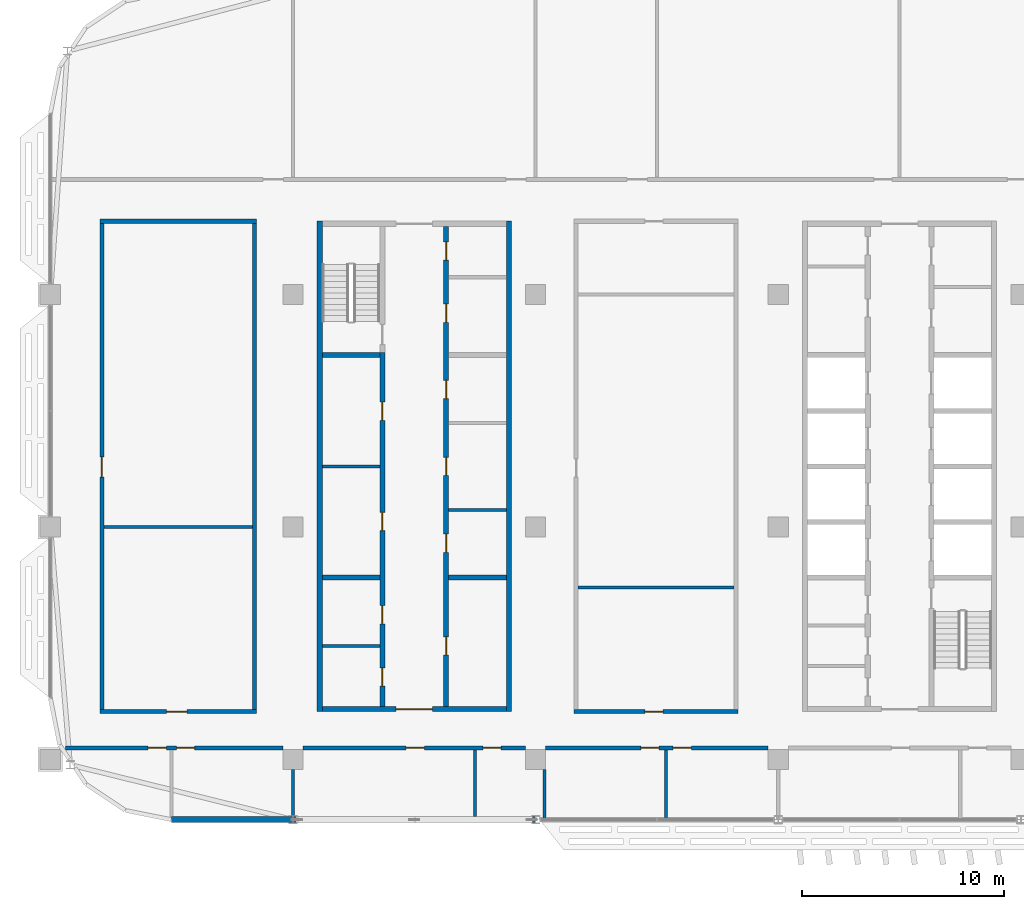
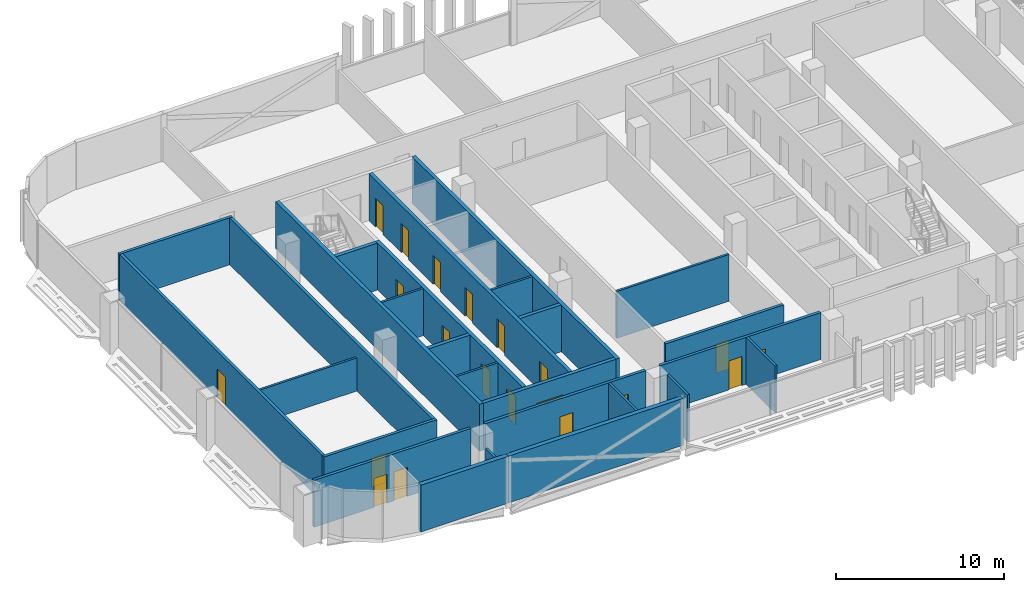
# One storey, part 17 of 33: 27 walls, 20 doors, 20 openings.
"""IFC4 building model written with IfcOpenShell, lengths in metres."""

from ifc_helpers import new_model, si_unit, direction, frame, frame_2d, origin, place, context, subcontext, project, spatial, rectangle, extrude, material, layer, layer_set, type_object, element, fill, save


model = new_model("IFC4")

# Units and contexts
model_context = context("Model", 3, precision=1e-05, world=origin(), true_north=direction((0.0, 1.0)))
body_context = subcontext(model_context, "Body", "Model", "MODEL_VIEW")
ifc_project = project(units=[si_unit("LENGTHUNIT", "METRE"), si_unit("AREAUNIT", "SQUARE_METRE"), si_unit("VOLUMEUNIT", "CUBIC_METRE"), si_unit("PLANEANGLEUNIT", "RADIAN"), si_unit("MASSUNIT", "GRAM", prefix="KILO")], contexts=[model_context])

# Site, building, storey
site_placement = place(None, origin())
site = spatial("IfcSite", under=ifc_project, at=site_placement, CompositionType="ELEMENT")
building_placement = place(site_placement, origin())
building = spatial("IfcBuilding", under=site, at=building_placement, Name="Mahtab Terrace Research Tower", CompositionType="ELEMENT")
storey_placement = place(building_placement, frame((0.0, 0.0, 255.199951171875)))
storey = spatial("IfcBuildingStorey", under=building, at=storey_placement, Name="L62", CompositionType="ELEMENT", Elevation=255.199951171875)

# Walls
ifc_material_1 = material(Name="Gypsum board partition")
ifc_layer_1 = layer(ifc_material_1, 0.14990234375)
ifc_layer_set_1 = layer_set([ifc_layer_1], Name="Core partition 150")
wall_type_1 = type_object("IfcWallType", Name="Core partition 150", PredefinedType="PARTITIONING", material=ifc_layer_set_1)
for number, where, z_axis, x_axis, name in (
    (1, (-28.550048828125, 3.0, 0.0), (0.0, 0.0, 1.0), (1.0, 0.0, 0.0), "Core wall A pWL0"),
    (2, (-22.300048828125, 0.85009765625, 0.0), (0.0, 0.0, 1.0), (1.0, 0.0, 0.0), "Core wall A pEL-215"),
    (3, (-28.550048828125, -5.875, 0.0), (0.0, 0.0, 1.0), (1.0, 0.0, 0.0), "Core wall A pWS-888"),
):
    element("IfcWall", number, at=place(storey_placement, frame(where, z_axis=z_axis, x_axis=x_axis)), inside=storey, type_object=wall_type_1, Name=name, PredefinedType="PARTITIONING", context=body_context, shape_type="SweptSolid", body=[
        extrude(rectangle(XDim=2.85009765625, YDim=0.14990234375, at=frame_2d((1.425048828125, 0.0))), origin(), (0.0, 0.0, 1.0), 3.400146484375),
    ])
ifc_material_2 = material(Name="Concrete C70/85", Category="concrete")
ifc_layer_2 = layer(ifc_material_2, 0.25)
ifc_layer_set_2 = layer_set([ifc_layer_2], Name="Core wall 250")
wall_type_2 = type_object("IfcWallType", Name="Core wall 250", PredefinedType="SOLIDWALL", material=ifc_layer_set_2)
for number, where, z_axis, x_axis, name in (
    (4, (-28.675048828125, 15.125, 0.0), (0.0, 0.0, 1.0), (0.0, -1.0, 0.0), "Core wall A outerW"),
    (5, (-19.324951171875, -9.125, 0.0), (0.0, 0.0, 1.0), (0.0, 1.0, 0.0), "Core wall A outerE"),
):
    element("IfcWall", number, at=place(storey_placement, frame(where, z_axis=z_axis, x_axis=x_axis)), inside=storey, type_object=wall_type_2, Name=name, PredefinedType="SOLIDWALL", context=body_context, shape_type="SweptSolid", body=[
        extrude(rectangle(XDim=24.25, YDim=0.25, at=frame_2d((12.125, 0.0))), origin(), (0.0, 0.0, 1.0), 3.400146484375),
    ])

# Wall, opening, door
wall_1_placement = place(storey_placement, frame((-19.449951171875, -9.0, 0.0), z_axis=(0.0, 0.0, 1.0), x_axis=(-1.0, 0.0, 0.0)))
wall_1 = element("IfcWall", 6, at=wall_1_placement, inside=storey, type_object=wall_type_2, Name="Core wall A endS", PredefinedType="SOLIDWALL", context=body_context, shape_type="SweptSolid", body=[
    extrude(rectangle(XDim=9.10009765625, YDim=0.25, at=frame_2d((4.550048828125, 0.0))), origin(), (0.0, 0.0, 1.0), 3.400146484375),
])
opening_1_placement = place(wall_1_placement, frame((3.64990234375, 0.0, 0.0)))
opening_1 = element("IfcOpeningElement", 7, at=opening_1_placement, cuts=wall_1, Name="Opening A-S1", PredefinedType="OPENING", context=body_context, shape_type="SweptSolid", body=[
    extrude(rectangle(XDim=1.800048828125, YDim=2.10009765625, at=frame_2d((0.89990234375, 1.050048828125))), frame((0.0, 0.135009765625, 0.0), z_axis=(0.0, -1.0, 0.0), x_axis=(1.0, 0.0, 0.0)), (0.0, 0.0, 1.0), 0.27001953125),
])
ifc_material_3 = material(Name="Steel fire door", Category="steel")
door_type_1 = type_object("IfcDoorType", Name="Lobby double door 1800x2100 1 HR", OperationType="DOUBLE_DOOR_SINGLE_SWING", PredefinedType="DOOR", material=ifc_material_3)
door_1_placement = place(opening_1_placement, origin())
door_1 = element("IfcDoor", 8, at=door_1_placement, inside=storey, type_object=door_type_1, Name="Core entrance door A S", OperationType="DOUBLE_DOOR_SINGLE_SWING", OverallHeight=2.10009765625, OverallWidth=1.800048828125, PredefinedType="DOOR", context=body_context, shape_type="SweptSolid", body=[
    extrude(rectangle(XDim=1.800048828125, YDim=2.10009765625, at=frame_2d((0.89990234375, 1.050048828125))), frame((0.0, 0.02490234375, 0.0), z_axis=(0.0, -1.0, 0.0), x_axis=(1.0, 0.0, 0.0)), (0.0, 0.0, 1.0), 0.050048828125),
])
fill(opening_1, door_1)

# Wall, openings, doors
wall_2_placement = place(storey_placement, frame((-25.574951171875, -8.875, 0.0), z_axis=(0.0, 0.0, 1.0), x_axis=(0.0, 1.0, 0.0)))
wall_2 = element("IfcWall", 9, at=wall_2_placement, inside=storey, type_object=wall_type_2, Name="Core wall A innerWSL", PredefinedType="SOLIDWALL", context=body_context, shape_type="SweptSolid", body=[
    extrude(rectangle(XDim=17.5, YDim=0.25, at=frame_2d((8.75, 0.0))), origin(), (0.0, 0.0, 1.0), 3.400146484375),
])
opening_2_placement = place(wall_2_placement, frame((8.699951171875, 0.0, 0.0)))
opening_2 = element("IfcOpeningElement", 10, at=opening_2_placement, cuts=wall_2, Name="Opening A-R1", PredefinedType="OPENING", context=body_context, shape_type="SweptSolid", body=[
    extrude(rectangle(XDim=0.89990234375, YDim=2.10009765625, at=frame_2d((0.449951171875, 1.050048828125))), frame((0.0, 0.135009765625, 0.0), z_axis=(0.0, -1.0, 0.0), x_axis=(1.0, 0.0, 0.0)), (0.0, 0.0, 1.0), 0.27001953125),
])
opening_3_placement = place(wall_2_placement, frame((14.14990234375, 0.0, 0.0)))
opening_3 = element("IfcOpeningElement", 11, at=opening_3_placement, cuts=wall_2, Name="Opening A-R2", PredefinedType="OPENING", context=body_context, shape_type="SweptSolid", body=[
    extrude(rectangle(XDim=0.89990234375, YDim=2.10009765625, at=frame_2d((0.449951171875, 1.050048828125))), frame((0.0, 0.135009765625, 0.0), z_axis=(0.0, -1.0, 0.0), x_axis=(1.0, 0.0, 0.0)), (0.0, 0.0, 1.0), 0.27001953125),
])
opening_4_placement = place(wall_2_placement, frame((1.012451171875, 0.0, 0.0)))
opening_4 = element("IfcOpeningElement", 12, at=opening_4_placement, cuts=wall_2, Name="Opening A-R6", PredefinedType="OPENING", context=body_context, shape_type="SweptSolid", body=[
    extrude(rectangle(XDim=0.89990234375, YDim=2.10009765625, at=frame_2d((0.449951171875, 1.050048828125))), frame((0.0, 0.135009765625, 0.0), z_axis=(0.0, -1.0, 0.0), x_axis=(1.0, 0.0, 0.0)), (0.0, 0.0, 1.0), 0.27001953125),
])
opening_5_placement = place(wall_2_placement, frame((4.08740234375, 0.0, 0.0)))
opening_5 = element("IfcOpeningElement", 13, at=opening_5_placement, cuts=wall_2, Name="Opening A-R7", PredefinedType="OPENING", context=body_context, shape_type="SweptSolid", body=[
    extrude(rectangle(XDim=0.89990234375, YDim=2.10009765625, at=frame_2d((0.449951171875, 1.050048828125))), frame((0.0, 0.135009765625, 0.0), z_axis=(0.0, -1.0, 0.0), x_axis=(1.0, 0.0, 0.0)), (0.0, 0.0, 1.0), 0.27001953125),
])
door_type_2 = type_object("IfcDoorType", Name="Room door 900x2100 1 HR", OperationType="NOTDEFINED", PredefinedType="DOOR", material=ifc_material_3)
door_2_placement = place(opening_2_placement, origin())
door_2 = element("IfcDoor", 14, at=door_2_placement, inside=storey, type_object=door_type_2, Name="Document store door", OperationType="SINGLE_SWING_LEFT", OverallHeight=2.10009765625, OverallWidth=0.89990234375, PredefinedType="DOOR", context=body_context, shape_type="SweptSolid", body=[
    extrude(rectangle(XDim=0.89990234375, YDim=2.10009765625, at=frame_2d((0.449951171875, 1.050048828125))), frame((0.0, 0.02490234375, 0.0), z_axis=(0.0, -1.0, 0.0), x_axis=(1.0, 0.0, 0.0)), (0.0, 0.0, 1.0), 0.050048828125),
])
fill(opening_2, door_2)
door_3_placement = place(opening_3_placement, origin())
door_3 = element("IfcDoor", 15, at=door_3_placement, inside=storey, type_object=door_type_2, Name="IT equipment room door", OperationType="SINGLE_SWING_RIGHT", OverallHeight=2.10009765625, OverallWidth=0.89990234375, PredefinedType="DOOR", context=body_context, shape_type="SweptSolid", body=[
    extrude(rectangle(XDim=0.89990234375, YDim=2.10009765625, at=frame_2d((0.449951171875, 1.050048828125))), frame((0.0, 0.02490234375, 0.0), z_axis=(0.0, -1.0, 0.0), x_axis=(1.0, 0.0, 0.0)), (0.0, 0.0, 1.0), 0.050048828125),
])
fill(opening_3, door_3)
door_4_placement = place(opening_4_placement, origin())
door_4 = element("IfcDoor", 16, at=door_4_placement, inside=storey, type_object=door_type_2, Name="Staff WC door", OperationType="SINGLE_SWING_RIGHT", OverallHeight=2.10009765625, OverallWidth=0.89990234375, PredefinedType="DOOR", context=body_context, shape_type="SweptSolid", body=[
    extrude(rectangle(XDim=0.89990234375, YDim=2.10009765625, at=frame_2d((0.449951171875, 1.050048828125))), frame((0.0, 0.02490234375, 0.0), z_axis=(0.0, -1.0, 0.0), x_axis=(1.0, 0.0, 0.0)), (0.0, 0.0, 1.0), 0.050048828125),
])
fill(opening_4, door_4)
door_5_placement = place(opening_5_placement, origin())
door_5 = element("IfcDoor", 17, at=door_5_placement, inside=storey, type_object=door_type_2, Name="Accessible WC door", OperationType="SINGLE_SWING_LEFT", OverallHeight=2.10009765625, OverallWidth=0.89990234375, PredefinedType="DOOR", context=body_context, shape_type="SweptSolid", body=[
    extrude(rectangle(XDim=0.89990234375, YDim=2.10009765625, at=frame_2d((0.449951171875, 1.050048828125))), frame((0.0, 0.02490234375, 0.0), z_axis=(0.0, -1.0, 0.0), x_axis=(1.0, 0.0, 0.0)), (0.0, 0.0, 1.0), 0.050048828125),
])
fill(opening_5, door_5)

wall_3_placement = place(storey_placement, frame((-22.425048828125, 14.875, 0.0), z_axis=(0.0, 0.0, 1.0), x_axis=(0.0, -1.0, 0.0)))
wall_3 = element("IfcWall", 18, at=wall_3_placement, inside=storey, type_object=wall_type_2, Name="Core wall A innerESLN", PredefinedType="SOLIDWALL", context=body_context, shape_type="SweptSolid", body=[
    extrude(rectangle(XDim=23.75, YDim=0.25, at=frame_2d((11.875, 0.0))), origin(), (0.0, 0.0, 1.0), 3.400146484375),
])
opening_6_placement = place(wall_3_placement, frame((15.22509765625, 0.0, 0.0)))
opening_6 = element("IfcOpeningElement", 19, at=opening_6_placement, cuts=wall_3, Name="Opening A-R3", PredefinedType="OPENING", context=body_context, shape_type="SweptSolid", body=[
    extrude(rectangle(XDim=0.89990234375, YDim=2.10009765625, at=frame_2d((0.449951171875, 1.050048828125))), frame((0.0, 0.135009765625, 0.0), z_axis=(0.0, -1.0, 0.0), x_axis=(1.0, 0.0, 0.0)), (0.0, 0.0, 1.0), 0.27001953125),
])
opening_7_placement = place(wall_3_placement, frame((11.425048828125, 0.0, 0.0)))
opening_7 = element("IfcOpeningElement", 20, at=opening_7_placement, cuts=wall_3, Name="Opening A-R4", PredefinedType="OPENING", context=body_context, shape_type="SweptSolid", body=[
    extrude(rectangle(XDim=0.89990234375, YDim=2.10009765625, at=frame_2d((0.449951171875, 1.050048828125))), frame((0.0, 0.135009765625, 0.0), z_axis=(0.0, -1.0, 0.0), x_axis=(1.0, 0.0, 0.0)), (0.0, 0.0, 1.0), 0.27001953125),
])
opening_8_placement = place(wall_3_placement, frame((7.625, 0.0, 0.0)))
opening_8 = element("IfcOpeningElement", 21, at=opening_8_placement, cuts=wall_3, Name="Opening A-R5", PredefinedType="OPENING", context=body_context, shape_type="SweptSolid", body=[
    extrude(rectangle(XDim=0.89990234375, YDim=2.10009765625, at=frame_2d((0.449951171875, 1.050048828125))), frame((0.0, 0.135009765625, 0.0), z_axis=(0.0, -1.0, 0.0), x_axis=(1.0, 0.0, 0.0)), (0.0, 0.0, 1.0), 0.27001953125),
])
opening_9_placement = place(wall_3_placement, frame((20.300048828125, 0.0, 0.0)))
opening_9 = element("IfcOpeningElement", 22, at=opening_9_placement, cuts=wall_3, Name="Opening A-R8", PredefinedType="OPENING", context=body_context, shape_type="SweptSolid", body=[
    extrude(rectangle(XDim=0.89990234375, YDim=2.10009765625, at=frame_2d((0.449951171875, 1.050048828125))), frame((0.0, 0.135009765625, 0.0), z_axis=(0.0, -1.0, 0.0), x_axis=(1.0, 0.0, 0.0)), (0.0, 0.0, 1.0), 0.27001953125),
])
opening_10_placement = place(wall_3_placement, frame((3.847412109375, 0.0, 0.0)))
opening_10 = element("IfcOpeningElement", 23, at=opening_10_placement, cuts=wall_3, Name="Opening A-R9", PredefinedType="OPENING", context=body_context, shape_type="SweptSolid", body=[
    extrude(rectangle(XDim=0.89990234375, YDim=2.10009765625, at=frame_2d((0.449951171875, 1.050048828125))), frame((0.0, 0.135009765625, 0.0), z_axis=(0.0, -1.0, 0.0), x_axis=(1.0, 0.0, 0.0)), (0.0, 0.0, 1.0), 0.27001953125),
])
opening_11_placement = place(wall_3_placement, frame((0.7724609375, 0.0, 0.0)))
opening_11 = element("IfcOpeningElement", 24, at=opening_11_placement, cuts=wall_3, Name="Opening A-R10", PredefinedType="OPENING", context=body_context, shape_type="SweptSolid", body=[
    extrude(rectangle(XDim=0.89990234375, YDim=2.10009765625, at=frame_2d((0.449951171875, 1.050048828125))), frame((0.0, 0.135009765625, 0.0), z_axis=(0.0, -1.0, 0.0), x_axis=(1.0, 0.0, 0.0)), (0.0, 0.0, 1.0), 0.27001953125),
])
door_6_placement = place(opening_6_placement, origin())
door_6 = element("IfcDoor", 25, at=door_6_placement, inside=storey, type_object=door_type_2, Name="Electrical room door", OperationType="SINGLE_SWING_LEFT", OverallHeight=2.10009765625, OverallWidth=0.89990234375, PredefinedType="DOOR", context=body_context, shape_type="SweptSolid", body=[
    extrude(rectangle(XDim=0.89990234375, YDim=2.10009765625, at=frame_2d((0.449951171875, 1.050048828125))), frame((0.0, 0.02490234375, 0.0), z_axis=(0.0, -1.0, 0.0), x_axis=(1.0, 0.0, 0.0)), (0.0, 0.0, 1.0), 0.050048828125),
])
fill(opening_6, door_6)
door_7_placement = place(opening_7_placement, origin())
door_7 = element("IfcDoor", 26, at=door_7_placement, inside=storey, type_object=door_type_2, Name="Pantry door", OperationType="SINGLE_SWING_RIGHT", OverallHeight=2.10009765625, OverallWidth=0.89990234375, PredefinedType="DOOR", context=body_context, shape_type="SweptSolid", body=[
    extrude(rectangle(XDim=0.89990234375, YDim=2.10009765625, at=frame_2d((0.449951171875, 1.050048828125))), frame((0.0, 0.02490234375, 0.0), z_axis=(0.0, -1.0, 0.0), x_axis=(1.0, 0.0, 0.0)), (0.0, 0.0, 1.0), 0.050048828125),
])
fill(opening_7, door_7)
door_8_placement = place(opening_8_placement, origin())
door_8 = element("IfcDoor", 27, at=door_8_placement, inside=storey, type_object=door_type_2, Name="Housekeeping store door", OperationType="SINGLE_SWING_LEFT", OverallHeight=2.10009765625, OverallWidth=0.89990234375, PredefinedType="DOOR", context=body_context, shape_type="SweptSolid", body=[
    extrude(rectangle(XDim=0.89990234375, YDim=2.10009765625, at=frame_2d((0.449951171875, 1.050048828125))), frame((0.0, 0.02490234375, 0.0), z_axis=(0.0, -1.0, 0.0), x_axis=(1.0, 0.0, 0.0)), (0.0, 0.0, 1.0), 0.050048828125),
])
fill(opening_8, door_8)
door_9_placement = place(opening_9_placement, origin())
door_9 = element("IfcDoor", 28, at=door_9_placement, inside=storey, type_object=door_type_2, Name="Gas cylinder store door", OperationType="SINGLE_SWING_RIGHT", OverallHeight=2.10009765625, OverallWidth=0.89990234375, PredefinedType="DOOR", context=body_context, shape_type="SweptSolid", body=[
    extrude(rectangle(XDim=0.89990234375, YDim=2.10009765625, at=frame_2d((0.449951171875, 1.050048828125))), frame((0.0, 0.02490234375, 0.0), z_axis=(0.0, -1.0, 0.0), x_axis=(1.0, 0.0, 0.0)), (0.0, 0.0, 1.0), 0.050048828125),
])
fill(opening_9, door_9)
door_10_placement = place(opening_10_placement, origin())
door_10 = element("IfcDoor", 29, at=door_10_placement, inside=storey, type_object=door_type_2, Name="Pantry door", OperationType="SINGLE_SWING_LEFT", OverallHeight=2.10009765625, OverallWidth=0.89990234375, PredefinedType="DOOR", context=body_context, shape_type="SweptSolid", body=[
    extrude(rectangle(XDim=0.89990234375, YDim=2.10009765625, at=frame_2d((0.449951171875, 1.050048828125))), frame((0.0, 0.02490234375, 0.0), z_axis=(0.0, -1.0, 0.0), x_axis=(1.0, 0.0, 0.0)), (0.0, 0.0, 1.0), 0.050048828125),
])
fill(opening_10, door_10)
door_11_placement = place(opening_11_placement, origin())
door_11 = element("IfcDoor", 30, at=door_11_placement, inside=storey, type_object=door_type_2, Name="Linen store door", OperationType="SINGLE_SWING_RIGHT", OverallHeight=2.10009765625, OverallWidth=0.89990234375, PredefinedType="DOOR", context=body_context, shape_type="SweptSolid", body=[
    extrude(rectangle(XDim=0.89990234375, YDim=2.10009765625, at=frame_2d((0.449951171875, 1.050048828125))), frame((0.0, 0.02490234375, 0.0), z_axis=(0.0, -1.0, 0.0), x_axis=(1.0, 0.0, 0.0)), (0.0, 0.0, 1.0), 0.050048828125),
])
fill(opening_11, door_11)

# Walls
for number, where, z_axis, x_axis, name in (
    (31, (-28.550048828125, -2.5, 0.0), (0.0, 0.0, 1.0), (1.0, 0.0, 0.0), "Core wall A divW0"),
    (32, (-28.550048828125, 8.5, 0.0), (0.0, 0.0, 1.0), (1.0, 0.0, 0.0), "Core wall A divW4"),
    (33, (-22.300048828125, -2.5, 0.0), (0.0, 0.0, 1.0), (1.0, 0.0, 0.0), "Core wall A divE0"),
):
    element("IfcWall", number, at=place(storey_placement, frame(where, z_axis=z_axis, x_axis=x_axis)), inside=storey, type_object=wall_type_2, Name=name, PredefinedType="SOLIDWALL", context=body_context, shape_type="SweptSolid", body=[
        extrude(rectangle(XDim=2.85009765625, YDim=0.25, at=frame_2d((1.425048828125, 0.0))), origin(), (0.0, 0.0, 1.0), 3.400146484375),
    ])
ifc_material_4 = material(Name="Black aluminium cladding panel", Category="aluminium")
ifc_layer_3 = layer(ifc_material_4, 0.300048828125)
ifc_layer_set_3 = layer_set([ifc_layer_3], Name="Opaque facade wall 300")
wall_type_3 = type_object("IfcWallType", Name="Opaque facade wall 300", PredefinedType="NOTDEFINED", material=ifc_layer_set_3)
wall_4_placement = place(storey_placement, frame((-36.0, -14.472900390625, 0.0), z_axis=(0.0, 0.0, 1.0), x_axis=(1.0, 0.0, 0.0)))
element("IfcWall", 34, at=wall_4_placement, inside=storey, type_object=wall_type_3, Name="Opaque facade wall L62 S25", PredefinedType="NOTDEFINED", context=body_context, shape_type="SweptSolid", body=[
    extrude(rectangle(XDim=5.989501953125, YDim=0.300048828125, at=frame_2d((2.99462890625, 0.0))), origin(), (0.0, 0.0, 1.0), 3.400146484375),
])
wall_5_placement = place(storey_placement, frame((-29.989501953125, -14.472900390625, 0.0), z_axis=(0.0, 0.0, 1.0), x_axis=(1.0, 0.0, 0.0)))
element("IfcWall", 35, at=wall_5_placement, inside=storey, type_object=wall_type_3, Name="Opaque facade wall L62 S26", PredefinedType="NOTDEFINED", context=body_context, shape_type="SweptSolid", body=[
    extrude(rectangle(XDim=11.97900390625, YDim=0.300048828125, at=frame_2d((5.989501953125, 0.0))), origin(), (0.0, 0.0, 1.0), 3.400146484375),
])

# Wall, openings, doors
ifc_material_5 = material(Name="Gypsum board corridor wall on steel studs", Category="steel")
ifc_layer_4 = layer(ifc_material_5, 0.199951171875)
ifc_layer_set_4 = layer_set([ifc_layer_4], Name="WALL CORRIDOR 200")
wall_type_4 = type_object("IfcWallType", Name="WALL CORRIDOR 200", PredefinedType="PARTITIONING", material=ifc_layer_set_4)
wall_6_placement = place(storey_placement, frame((-41.260009765625, -10.923095703125, 0.0), z_axis=(0.0, 0.0, 1.0), x_axis=(1.0, 0.0, 0.0)))
wall_6 = element("IfcWall", 36, at=wall_6_placement, inside=storey, type_object=wall_type_4, Name="L62-W001", PredefinedType="PARTITIONING", context=body_context, shape_type="SweptSolid", body=[
    extrude(rectangle(XDim=10.760009765625, YDim=0.199951171875, at=frame_2d((5.3798828125, 0.0))), origin(), (0.0, 0.0, 1.0), 3.400146484375),
])
opening_12_placement = place(wall_6_placement, frame((4.10009765625, 0.0, 0.0)))
opening_12 = element("IfcOpeningElement", 37, at=opening_12_placement, cuts=wall_6, Name="Opening L62-101", PredefinedType="OPENING", context=body_context, shape_type="SweptSolid", body=[
    extrude(rectangle(XDim=0.89990234375, YDim=2.10009765625, at=frame_2d((0.449951171875, 1.050048828125))), frame((0.0, 0.10986328125, 0.0), z_axis=(0.0, -1.0, 0.0), x_axis=(1.0, 0.0, 0.0)), (0.0, 0.0, 1.0), 0.219970703125),
])
opening_13_placement = place(wall_6_placement, frame((5.5, 0.0, 0.0)))
opening_13 = element("IfcOpeningElement", 38, at=opening_13_placement, cuts=wall_6, Name="Opening L62-102", PredefinedType="OPENING", context=body_context, shape_type="SweptSolid", body=[
    extrude(rectangle(XDim=0.89990234375, YDim=2.10009765625, at=frame_2d((0.449951171875, 1.050048828125))), frame((0.0, 0.10986328125, 0.0), z_axis=(0.0, -1.0, 0.0), x_axis=(1.0, 0.0, 0.0)), (0.0, 0.0, 1.0), 0.219970703125),
])
ifc_material_6 = material(Name="Timber door leaf in steel frame", Category="steel")
door_type_3 = type_object("IfcDoorType", Name="DOOR 0900X2100 FD30S", OperationType="SINGLE_SWING_LEFT", PredefinedType="DOOR", material=ifc_material_6)
door_12_placement = place(opening_12_placement, origin())
door_12 = element("IfcDoor", 39, at=door_12_placement, inside=storey, type_object=door_type_3, Name="Door L62-101", OperationType="SINGLE_SWING_RIGHT", OverallHeight=2.10009765625, OverallWidth=0.89990234375, PredefinedType="DOOR", context=body_context, shape_type="SweptSolid", body=[
    extrude(rectangle(XDim=0.89990234375, YDim=2.10009765625, at=frame_2d((0.449951171875, 1.050048828125))), frame((0.0, 0.02490234375, 0.0), z_axis=(0.0, -1.0, 0.0), x_axis=(1.0, 0.0, 0.0)), (0.0, 0.0, 1.0), 0.050048828125),
])
fill(opening_12, door_12)
door_13_placement = place(opening_13_placement, origin())
door_13 = element("IfcDoor", 40, at=door_13_placement, inside=storey, type_object=door_type_3, Name="Door L62-102", OperationType="SINGLE_SWING_LEFT", OverallHeight=2.10009765625, OverallWidth=0.89990234375, PredefinedType="DOOR", context=body_context, shape_type="SweptSolid", body=[
    extrude(rectangle(XDim=0.89990234375, YDim=2.10009765625, at=frame_2d((0.449951171875, 1.050048828125))), frame((0.0, 0.02490234375, 0.0), z_axis=(0.0, -1.0, 0.0), x_axis=(1.0, 0.0, 0.0)), (0.0, 0.0, 1.0), 0.050048828125),
])
fill(opening_13, door_13)

wall_7_placement = place(storey_placement, frame((-29.5, -10.923095703125, 0.0), z_axis=(0.0, 0.0, 1.0), x_axis=(1.0, 0.0, 0.0)))
wall_7 = element("IfcWall", 41, at=wall_7_placement, inside=storey, type_object=wall_type_4, Name="L62-W002", PredefinedType="PARTITIONING", context=body_context, shape_type="SweptSolid", body=[
    extrude(rectangle(XDim=11.0, YDim=0.199951171875, at=frame_2d((5.5, 0.0))), origin(), (0.0, 0.0, 1.0), 3.400146484375),
])
opening_14_placement = place(wall_7_placement, frame((5.10009765625, 0.0, 0.0)))
opening_14 = element("IfcOpeningElement", 42, at=opening_14_placement, cuts=wall_7, Name="Opening L62-103", PredefinedType="OPENING", context=body_context, shape_type="SweptSolid", body=[
    extrude(rectangle(XDim=0.89990234375, YDim=2.10009765625, at=frame_2d((0.449951171875, 1.050048828125))), frame((0.0, 0.10986328125, 0.0), z_axis=(0.0, -1.0, 0.0), x_axis=(1.0, 0.0, 0.0)), (0.0, 0.0, 1.0), 0.219970703125),
])
opening_15_placement = place(wall_7_placement, frame((8.89990234375, 0.0, 0.0)))
opening_15 = element("IfcOpeningElement", 43, at=opening_15_placement, cuts=wall_7, Name="Opening L62-104", PredefinedType="OPENING", context=body_context, shape_type="SweptSolid", body=[
    extrude(rectangle(XDim=0.89990234375, YDim=2.10009765625, at=frame_2d((0.449951171875, 1.050048828125))), frame((0.0, 0.10986328125, 0.0), z_axis=(0.0, -1.0, 0.0), x_axis=(1.0, 0.0, 0.0)), (0.0, 0.0, 1.0), 0.219970703125),
])
door_14_placement = place(opening_14_placement, origin())
door_14 = element("IfcDoor", 44, at=door_14_placement, inside=storey, type_object=door_type_3, Name="Door L62-103", OperationType="SINGLE_SWING_LEFT", OverallHeight=2.10009765625, OverallWidth=0.89990234375, PredefinedType="DOOR", context=body_context, shape_type="SweptSolid", body=[
    extrude(rectangle(XDim=0.89990234375, YDim=2.10009765625, at=frame_2d((0.449951171875, 1.050048828125))), frame((0.0, 0.02490234375, 0.0), z_axis=(0.0, -1.0, 0.0), x_axis=(1.0, 0.0, 0.0)), (0.0, 0.0, 1.0), 0.050048828125),
])
fill(opening_14, door_14)
door_15_placement = place(opening_15_placement, origin())
door_15 = element("IfcDoor", 45, at=door_15_placement, inside=storey, type_object=door_type_3, Name="Door L62-104", OperationType="SINGLE_SWING_LEFT", OverallHeight=2.10009765625, OverallWidth=0.89990234375, PredefinedType="DOOR", context=body_context, shape_type="SweptSolid", body=[
    extrude(rectangle(XDim=0.89990234375, YDim=2.10009765625, at=frame_2d((0.449951171875, 1.050048828125))), frame((0.0, 0.02490234375, 0.0), z_axis=(0.0, -1.0, 0.0), x_axis=(1.0, 0.0, 0.0)), (0.0, 0.0, 1.0), 0.050048828125),
])
fill(opening_15, door_15)

wall_8_placement = place(storey_placement, frame((-17.5, -10.923095703125, 0.0), z_axis=(0.0, 0.0, 1.0), x_axis=(1.0, 0.0, 0.0)))
wall_8 = element("IfcWall", 46, at=wall_8_placement, inside=storey, type_object=wall_type_4, Name="L62-W003", PredefinedType="PARTITIONING", context=body_context, shape_type="SweptSolid", body=[
    extrude(rectangle(XDim=11.0, YDim=0.199951171875, at=frame_2d((5.5, 0.0))), origin(), (0.0, 0.0, 1.0), 3.400146484375),
])
opening_16_placement = place(wall_8_placement, frame((4.699951171875, 0.0, 0.0)))
opening_16 = element("IfcOpeningElement", 47, at=opening_16_placement, cuts=wall_8, Name="Opening L62-105", PredefinedType="OPENING", context=body_context, shape_type="SweptSolid", body=[
    extrude(rectangle(XDim=0.89990234375, YDim=2.10009765625, at=frame_2d((0.449951171875, 1.050048828125))), frame((0.0, 0.10986328125, 0.0), z_axis=(0.0, -1.0, 0.0), x_axis=(1.0, 0.0, 0.0)), (0.0, 0.0, 1.0), 0.219970703125),
])
opening_17_placement = place(wall_8_placement, frame((6.300048828125, 0.0, 0.0)))
opening_17 = element("IfcOpeningElement", 48, at=opening_17_placement, cuts=wall_8, Name="Opening L62-106", PredefinedType="OPENING", context=body_context, shape_type="SweptSolid", body=[
    extrude(rectangle(XDim=0.89990234375, YDim=2.10009765625, at=frame_2d((0.449951171875, 1.050048828125))), frame((0.0, 0.10986328125, 0.0), z_axis=(0.0, -1.0, 0.0), x_axis=(1.0, 0.0, 0.0)), (0.0, 0.0, 1.0), 0.219970703125),
])
door_16_placement = place(opening_16_placement, origin())
door_16 = element("IfcDoor", 49, at=door_16_placement, inside=storey, type_object=door_type_3, Name="Door L62-105", OperationType="SINGLE_SWING_RIGHT", OverallHeight=2.10009765625, OverallWidth=0.89990234375, PredefinedType="DOOR", context=body_context, shape_type="SweptSolid", body=[
    extrude(rectangle(XDim=0.89990234375, YDim=2.10009765625, at=frame_2d((0.449951171875, 1.050048828125))), frame((0.0, 0.02490234375, 0.0), z_axis=(0.0, -1.0, 0.0), x_axis=(1.0, 0.0, 0.0)), (0.0, 0.0, 1.0), 0.050048828125),
])
fill(opening_16, door_16)
door_17_placement = place(opening_17_placement, origin())
door_17 = element("IfcDoor", 50, at=door_17_placement, inside=storey, type_object=door_type_3, Name="Door L62-106", OperationType="SINGLE_SWING_LEFT", OverallHeight=2.10009765625, OverallWidth=0.89990234375, PredefinedType="DOOR", context=body_context, shape_type="SweptSolid", body=[
    extrude(rectangle(XDim=0.89990234375, YDim=2.10009765625, at=frame_2d((0.449951171875, 1.050048828125))), frame((0.0, 0.02490234375, 0.0), z_axis=(0.0, -1.0, 0.0), x_axis=(1.0, 0.0, 0.0)), (0.0, 0.0, 1.0), 0.050048828125),
])
fill(opening_17, door_17)

# Wall, opening, door
wall_9_placement = place(storey_placement, frame((-39.550048828125, -9.125, 0.0), z_axis=(0.0, 0.0, 1.0), x_axis=(1.0, 0.0, 0.0)))
wall_9 = element("IfcWall", 51, at=wall_9_placement, inside=storey, type_object=wall_type_4, Name="L62-W009", PredefinedType="PARTITIONING", context=body_context, shape_type="SweptSolid", body=[
    extrude(rectangle(XDim=7.75, YDim=0.199951171875, at=frame_2d((3.875, 0.0))), origin(), (0.0, 0.0, 1.0), 3.400146484375),
])
opening_18_placement = place(wall_9_placement, frame((3.300048828125, 0.0, 0.0)))
opening_18 = element("IfcOpeningElement", 52, at=opening_18_placement, cuts=wall_9, Name="Opening L62-118", PredefinedType="OPENING", context=body_context, shape_type="SweptSolid", body=[
    extrude(rectangle(XDim=1.0, YDim=2.10009765625, at=frame_2d((0.5, 1.050048828125))), frame((0.0, 0.10986328125, 0.0), z_axis=(0.0, -1.0, 0.0), x_axis=(1.0, 0.0, 0.0)), (0.0, 0.0, 1.0), 0.219970703125),
])
door_type_4 = type_object("IfcDoorType", Name="DOOR 1000X2100 FD30S", OperationType="SINGLE_SWING_LEFT", PredefinedType="DOOR", material=ifc_material_6)
door_18_placement = place(opening_18_placement, origin())
door_18 = element("IfcDoor", 53, at=door_18_placement, inside=storey, type_object=door_type_4, Name="Door L62-118", OperationType="SINGLE_SWING_LEFT", OverallHeight=2.10009765625, OverallWidth=1.0, PredefinedType="DOOR", context=body_context, shape_type="SweptSolid", body=[
    extrude(rectangle(XDim=1.0, YDim=2.10009765625, at=frame_2d((0.5, 1.050048828125))), frame((0.0, 0.02490234375, 0.0), z_axis=(0.0, -1.0, 0.0), x_axis=(1.0, 0.0, 0.0)), (0.0, 0.0, 1.0), 0.050048828125),
])
fill(opening_18, door_18)

wall_10_placement = place(storey_placement, frame((-16.10009765625, -9.125, 0.0), z_axis=(0.0, 0.0, 1.0), x_axis=(1.0, 0.0, 0.0)))
wall_10 = element("IfcWall", 54, at=wall_10_placement, inside=storey, type_object=wall_type_4, Name="L62-W010", PredefinedType="PARTITIONING", context=body_context, shape_type="SweptSolid", body=[
    extrude(rectangle(XDim=8.10009765625, YDim=0.199951171875, at=frame_2d((4.050048828125, 0.0))), origin(), (0.0, 0.0, 1.0), 3.400146484375),
])
opening_19_placement = place(wall_10_placement, frame((3.5, 0.0, 0.0)))
opening_19 = element("IfcOpeningElement", 55, at=opening_19_placement, cuts=wall_10, Name="Opening L62-116", PredefinedType="OPENING", context=body_context, shape_type="SweptSolid", body=[
    extrude(rectangle(XDim=0.89990234375, YDim=2.10009765625, at=frame_2d((0.449951171875, 1.050048828125))), frame((0.0, 0.10986328125, 0.0), z_axis=(0.0, -1.0, 0.0), x_axis=(1.0, 0.0, 0.0)), (0.0, 0.0, 1.0), 0.219970703125),
])
door_19_placement = place(opening_19_placement, origin())
door_19 = element("IfcDoor", 56, at=door_19_placement, inside=storey, type_object=door_type_3, Name="Door L62-116", OperationType="SINGLE_SWING_LEFT", OverallHeight=2.10009765625, OverallWidth=0.89990234375, PredefinedType="DOOR", context=body_context, shape_type="SweptSolid", body=[
    extrude(rectangle(XDim=0.89990234375, YDim=2.10009765625, at=frame_2d((0.449951171875, 1.050048828125))), frame((0.0, 0.02490234375, 0.0), z_axis=(0.0, -1.0, 0.0), x_axis=(1.0, 0.0, 0.0)), (0.0, 0.0, 1.0), 0.050048828125),
])
fill(opening_19, door_19)

# Wall
wall_11_placement = place(storey_placement, frame((-39.550048828125, 15.125, 0.0), z_axis=(0.0, 0.0, 1.0), x_axis=(1.0, 0.0, 0.0)))
element("IfcWall", 57, at=wall_11_placement, inside=storey, type_object=wall_type_4, Name="L62-W020", PredefinedType="PARTITIONING", context=body_context, shape_type="SweptSolid", body=[
    extrude(rectangle(XDim=7.75, YDim=0.199951171875, at=frame_2d((3.875, 0.0))), origin(), (0.0, 0.0, 1.0), 3.400146484375),
])

# Wall, opening, door
wall_12_placement = place(storey_placement, frame((-39.449951171875, -9.02490234375, 0.0), z_axis=(0.0, 0.0, 1.0), x_axis=(0.0, 1.0, 0.0)))
wall_12 = element("IfcWall", 58, at=wall_12_placement, inside=storey, type_object=wall_type_4, Name="L62-W025", PredefinedType="PARTITIONING", context=body_context, shape_type="SweptSolid", body=[
    extrude(rectangle(XDim=24.0498046875, YDim=0.199951171875, at=frame_2d((12.02490234375, 0.0))), origin(), (0.0, 0.0, 1.0), 3.400146484375),
])
opening_20_placement = place(wall_12_placement, frame((11.5, 0.0, 0.0)))
opening_20 = element("IfcOpeningElement", 59, at=opening_20_placement, cuts=wall_12, Name="Opening L62-122", PredefinedType="OPENING", context=body_context, shape_type="SweptSolid", body=[
    extrude(rectangle(XDim=1.0, YDim=2.10009765625, at=frame_2d((0.5, 1.050048828125))), frame((0.0, 0.10986328125, 0.0), z_axis=(0.0, -1.0, 0.0), x_axis=(1.0, 0.0, 0.0)), (0.0, 0.0, 1.0), 0.219970703125),
])
door_20_placement = place(opening_20_placement, origin())
door_20 = element("IfcDoor", 60, at=door_20_placement, inside=storey, type_object=door_type_4, Name="Door L62-122", OperationType="SINGLE_SWING_RIGHT", OverallHeight=2.10009765625, OverallWidth=1.0, PredefinedType="DOOR", context=body_context, shape_type="SweptSolid", body=[
    extrude(rectangle(XDim=1.0, YDim=2.10009765625, at=frame_2d((0.5, 1.050048828125))), frame((0.0, 0.02490234375, 0.0), z_axis=(0.0, -1.0, 0.0), x_axis=(1.0, 0.0, 0.0)), (0.0, 0.0, 1.0), 0.050048828125),
])
fill(opening_20, door_20)

# Walls
wall_13_placement = place(storey_placement, frame((-31.89990234375, -9.02490234375, 0.0), z_axis=(0.0, 0.0, 1.0), x_axis=(0.0, 1.0, 0.0)))
element("IfcWall", 61, at=wall_13_placement, inside=storey, type_object=wall_type_4, Name="L62-W027", PredefinedType="PARTITIONING", context=body_context, shape_type="SweptSolid", body=[
    extrude(rectangle(XDim=24.0498046875, YDim=0.199951171875, at=frame_2d((12.02490234375, 0.0))), origin(), (0.0, 0.0, 1.0), 3.400146484375),
])
ifc_material_7 = material(Name="Gypsum board partition on steel studs", Category="steel")
ifc_layer_5 = layer(ifc_material_7, 0.14990234375)
ifc_layer_set_5 = layer_set([ifc_layer_5], Name="WALL PARTITION 150")
wall_type_5 = type_object("IfcWallType", Name="WALL PARTITION 150", PredefinedType="PARTITIONING", material=ifc_layer_set_5)
wall_14_placement = place(storey_placement, frame((-15.89990234375, -3.0, 0.0), z_axis=(0.0, 0.0, 1.0), x_axis=(1.0, 0.0, 0.0)))
element("IfcWall", 62, at=wall_14_placement, inside=storey, type_object=wall_type_5, Name="L62-W013", PredefinedType="PARTITIONING", context=body_context, shape_type="SweptSolid", body=[
    extrude(rectangle(XDim=7.699951171875, YDim=0.14990234375, at=frame_2d((3.85009765625, 0.0))), origin(), (0.0, 0.0, 1.0), 3.400146484375),
])
wall_15_placement = place(storey_placement, frame((-39.35009765625, 0.0, 0.0), z_axis=(0.0, 0.0, 1.0), x_axis=(1.0, 0.0, 0.0)))
element("IfcWall", 63, at=wall_15_placement, inside=storey, type_object=wall_type_5, Name="L62-W015", PredefinedType="PARTITIONING", context=body_context, shape_type="SweptSolid", body=[
    extrude(rectangle(XDim=7.35009765625, YDim=0.14990234375, at=frame_2d((3.675048828125, 0.0))), origin(), (0.0, 0.0, 1.0), 2.4013671875),
])
wall_16_placement = place(storey_placement, frame((-30.0, -14.322998046875, 0.0), z_axis=(0.0, 0.0, 1.0), x_axis=(0.0, 1.0, 0.0)))
element("IfcWall", 64, at=wall_16_placement, inside=storey, type_object=wall_type_5, Name="L62-W028", PredefinedType="PARTITIONING", context=body_context, shape_type="SweptSolid", body=[
    extrude(rectangle(XDim=2.322998046875, YDim=0.14990234375, at=frame_2d((1.16162109375, 0.0))), origin(), (0.0, 0.0, 1.0), 2.4013671875),
])
wall_17_placement = place(storey_placement, frame((-21.0, -14.322998046875, 0.0), z_axis=(0.0, 0.0, 1.0), x_axis=(0.0, 1.0, 0.0)))
element("IfcWall", 65, at=wall_17_placement, inside=storey, type_object=wall_type_5, Name="L62-W030", PredefinedType="PARTITIONING", context=body_context, shape_type="SweptSolid", body=[
    extrude(rectangle(XDim=3.300048828125, YDim=0.14990234375, at=frame_2d((1.64990234375, 0.0))), origin(), (0.0, 0.0, 1.0), 3.400146484375),
])
wall_18_placement = place(storey_placement, frame((-17.550048828125, -14.447998046875, 0.0), z_axis=(0.0, 0.0, 1.0), x_axis=(0.0, 1.0, 0.0)))
element("IfcWall", 66, at=wall_18_placement, inside=storey, type_object=wall_type_5, Name="L62-W032", PredefinedType="PARTITIONING", context=body_context, shape_type="SweptSolid", body=[
    extrude(rectangle(XDim=2.447998046875, YDim=0.14990234375, at=frame_2d((1.22412109375, 0.0))), origin(), (0.0, 0.0, 1.0), 3.400146484375),
])
wall_19_placement = place(storey_placement, frame((-11.550048828125, -14.447998046875, 0.0), z_axis=(0.0, 0.0, 1.0), x_axis=(0.0, 1.0, 0.0)))
element("IfcWall", 67, at=wall_19_placement, inside=storey, type_object=wall_type_5, Name="L62-W035", PredefinedType="PARTITIONING", context=body_context, shape_type="SweptSolid", body=[
    extrude(rectangle(XDim=3.425048828125, YDim=0.14990234375, at=frame_2d((1.71240234375, 0.0))), origin(), (0.0, 0.0, 1.0), 3.400146484375),
])

save(model, "model.ifc")
